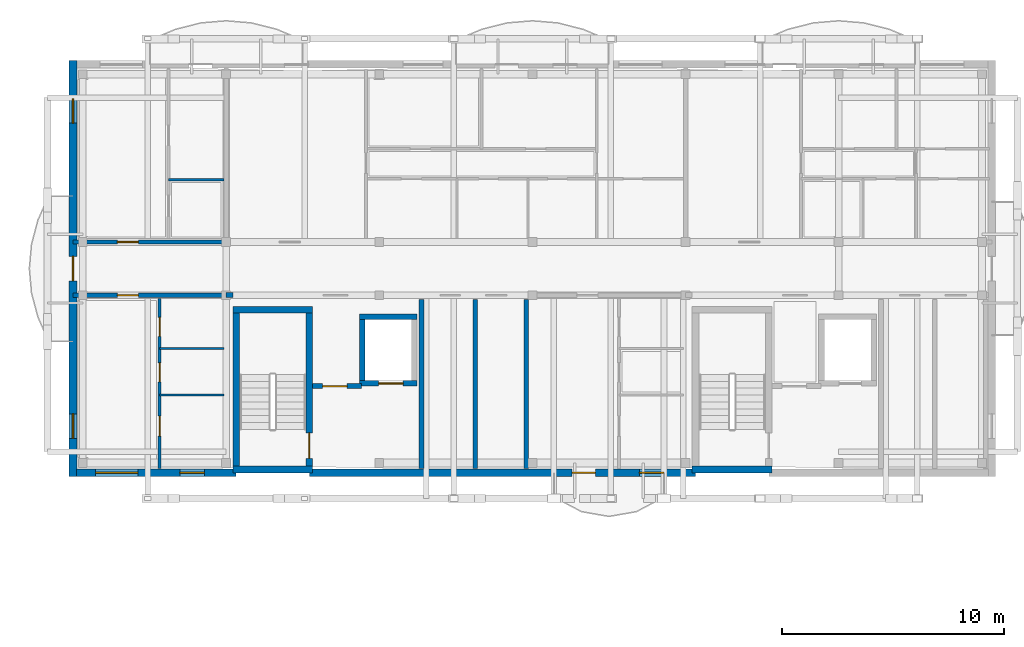
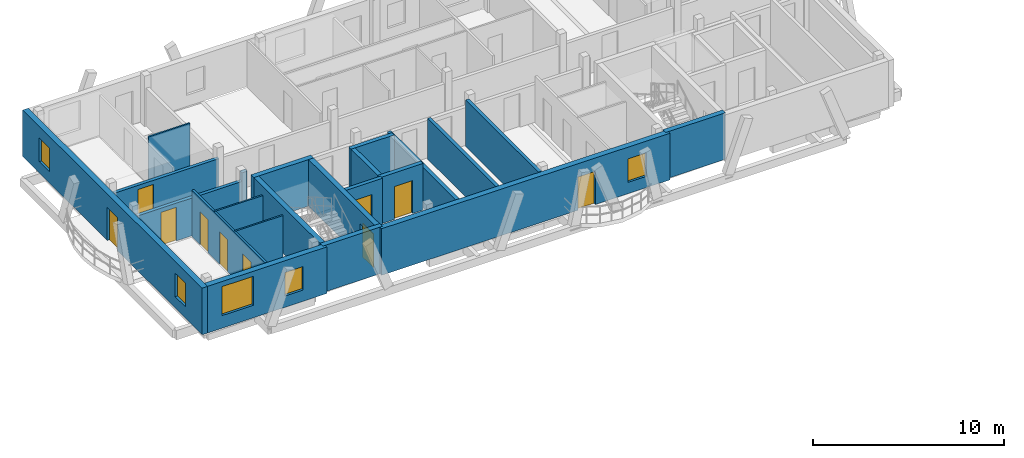
# One storey, part 13 of 21: 22 walls, 10 doors, 5 windows, 15 openings.
"""IFC4 building model written with IfcOpenShell, lengths in metres."""

import ifcopenshell
import ifcopenshell.guid

model = None  # the IFC model being written
_history = None  # IfcOwnerHistory: only IFC2X3 demands one
_inside = {}  # id of a spatial element -> (the spatial element, [elements in it])
_under = {}  # id of a project, library or spatial element -> (it, [spatial elements below it])
_declared = {}  # id of a project -> (the project, [libraries it declares])
_typed = {}  # id of a type object -> (the type object, [elements of that type])
_made_of = {}  # id of a material, layer set ... -> (it, [elements and type objects made of it])


def new_model(schema):
    """Start an empty IFC model of exactly this schema.

    Asked for "IFC4X3", IfcOpenShell would pick the latest addendum, in which some entities
    have other attributes; the version numbers below select the first issue.
    IFC2X3 requires an IfcOwnerHistory on every rooted entity: one is made here for all.
    """
    global model, _history
    if schema == "IFC4X3":
        model = ifcopenshell.file(schema_version=(4, 3, 0, 0))
    else:
        model = ifcopenshell.file(schema=schema)
    _inside.clear()
    _under.clear()
    _declared.clear()
    _typed.clear()
    _made_of.clear()
    _history = None
    if model.schema == "IFC2X3":
        org = make("IfcOrganization", Name="unknown")
        user = make(
            "IfcPersonAndOrganization",
            ThePerson=make("IfcPerson", FamilyName="unknown"),
            TheOrganization=org,
        )
        app = make(
            "IfcApplication",
            ApplicationDeveloper=org,
            Version="unknown",
            ApplicationFullName="unknown",
            ApplicationIdentifier="unknown",
        )
        _history = make(
            "IfcOwnerHistory",
            OwningUser=user,
            OwningApplication=app,
            ChangeAction="ADDED",
            CreationDate=0,
        )
    return model


def make(cls, **values):
    """One entity of the class cls with the attributes given. An attribute that is None is left unset."""
    return model.create_entity(
        cls, **{name: value for name, value in values.items() if value is not None}
    )


def rooted(cls, **values):
    """An entity with a GlobalId (a new one), such as an element, a storey or a relation."""
    return make(cls, GlobalId=ifcopenshell.guid.new(), OwnerHistory=_history, **values)


def si_unit(unit_type, name, prefix=None):
    """IfcSIUnit, for example si_unit("LENGTHUNIT", "METRE", prefix="MILLI")."""
    return make("IfcSIUnit", UnitType=unit_type, Prefix=prefix, Name=name)


def assignment(units):
    """IfcUnitAssignment: the units of a project."""
    return None if units is None else make("IfcUnitAssignment", Units=units)


def point(xyz):
    """IfcCartesianPoint."""
    return None if xyz is None else make("IfcCartesianPoint", Coordinates=xyz)


def direction(xyz):
    """IfcDirection."""
    return None if xyz is None else make("IfcDirection", DirectionRatios=xyz)


def frame(location, z_axis=None, x_axis=None):
    """IfcAxis2Placement3D, a coordinate frame: its origin and axes. An axis left out is left unset."""
    return make(
        "IfcAxis2Placement3D",
        Location=point(location),
        Axis=direction(z_axis),
        RefDirection=direction(x_axis),
    )


def frame_2d(location, x_axis=None):
    """IfcAxis2Placement2D, a coordinate frame in the plane: its origin and x axis."""
    return make(
        "IfcAxis2Placement2D", Location=point(location), RefDirection=direction(x_axis)
    )


def origin():
    """The frame at (0, 0, 0) with its axes left unset."""
    return frame((0.0, 0.0, 0.0))


def origin_with_axes():
    """The frame at (0, 0, 0) with the z axis (0, 0, 1) and the x axis (1, 0, 0) written out."""
    return frame((0.0, 0.0, 0.0), z_axis=(0.0, 0.0, 1.0), x_axis=(1.0, 0.0, 0.0))


def place(relative_to, where):
    """IfcLocalPlacement: puts the frame where relative to a parent placement (None: the world)."""
    return make(
        "IfcLocalPlacement", PlacementRelTo=relative_to, RelativePlacement=where
    )


def context(
    kind, dimensions, precision=None, world=None, true_north=None, identifier=None
):
    """IfcGeometricRepresentationContext, for example the 3D "Model" context."""
    return make(
        "IfcGeometricRepresentationContext",
        ContextIdentifier=identifier,
        ContextType=kind,
        CoordinateSpaceDimension=dimensions,
        Precision=precision,
        WorldCoordinateSystem=world,
        TrueNorth=true_north,
    )


def subcontext(parent, identifier, kind, view, scale=None):
    """IfcGeometricRepresentationSubContext, for example "Body" below "Model"."""
    return make(
        "IfcGeometricRepresentationSubContext",
        ContextIdentifier=identifier,
        ContextType=kind,
        ParentContext=parent,
        TargetScale=scale,
        TargetView=view,
    )


def project(units=None, contexts=None):
    """IfcProject with its units and contexts."""
    return rooted(
        "IfcProject",
        Name="project",
        RepresentationContexts=contexts,
        UnitsInContext=assignment(units),
    )


def spatial(cls, under=None, at=None, **own):
    """A site, building, storey or space (cls), placed at a placement, below another one or the project."""
    s = rooted(cls, ObjectPlacement=at, **own)
    if under is not None:
        _under.setdefault(under.id(), (under, []))[1].append(s)
    return s


def profile(cls, at=None, kind="AREA", **sizes):
    """A parametric profile (cls). Its sizes go by their IFC names, for example OverallWidth=200.0."""
    return make(cls, ProfileType=kind, Position=at, **sizes)


def rectangle(**sizes):
    """IfcRectangleProfileDef."""
    return profile("IfcRectangleProfileDef", **sizes)


def extrude(swept, where, along, depth):
    """IfcExtrudedAreaSolid: the profile swept, set in the frame where, extruded along a direction by depth."""
    return make(
        "IfcExtrudedAreaSolid",
        SweptArea=swept,
        Position=where,
        ExtrudedDirection=direction(along),
        Depth=depth,
    )


def shape(context_of_items, identifier, shape_type, items):
    """IfcShapeRepresentation: the items that make up one representation, for example the "Body"."""
    return make(
        "IfcShapeRepresentation",
        ContextOfItems=context_of_items,
        RepresentationIdentifier=identifier,
        RepresentationType=shape_type,
        Items=items,
    )


def material(Name=None, Category=None):
    """IfcMaterial."""
    return make("IfcMaterial", Name=Name, Category=Category)


def layer(
    of_material, thickness, ventilated=None, Name=None, Category=None, Priority=None
):
    """IfcMaterialLayer: one layer of a wall or slab, of a material (None: an air gap)."""
    return make(
        "IfcMaterialLayer",
        Material=of_material,
        LayerThickness=thickness,
        IsVentilated=ventilated,
        Name=Name,
        Category=Category,
        Priority=Priority,
    )


def layer_set(layers, Name=None):
    """IfcMaterialLayerSet."""
    return make("IfcMaterialLayerSet", MaterialLayers=layers, LayerSetName=Name)


def made_of(thing, what):
    """Note that an element or type object is made of a material, layer set ...; save() writes the relation."""
    if what is not None:
        _made_of.setdefault(what.id(), (what, []))[1].append(thing)
    return thing


def type_object(cls, material=None, **own):
    """A type object (cls), such as IfcWallType, which elements share."""
    return made_of(rooted(cls, **own), material)


def element(
    cls,
    number,
    at=None,
    inside=None,
    cuts=None,
    type_object=None,
    material=None,
    context=None,
    identifier="Body",
    shape_type=None,
    held_by="IfcProductDefinitionShape",
    body=None,
    shapes=None,
    **own,
):
    """One element of the class cls, such as IfcWall. Its Tag is "e" and its number.

    at: its placement. inside: the storey or other place that contains it. cuts: it is an
    opening in that element (IfcRelVoidsElement). A single representation is given by context,
    identifier, shape_type and body (its items); several are given by shapes. held_by: the class
    of the entity that holds the representations. save() writes the other relations.
    """
    e = rooted(cls, Tag="e%d" % number, ObjectPlacement=at, **own)
    if body is not None:
        shapes = [shape(context, identifier, shape_type, body)]
    if shapes is not None:
        e.Representation = make(held_by, Representations=shapes)
    if inside is not None:
        _inside.setdefault(inside.id(), (inside, []))[1].append(e)
    if cuts is not None:
        rooted(
            "IfcRelVoidsElement", RelatingBuildingElement=cuts, RelatedOpeningElement=e
        )
    if type_object is not None:
        _typed.setdefault(type_object.id(), (type_object, []))[1].append(e)
    return made_of(e, material)


def fill(opening, filler):
    """IfcRelFillsElement: the door or window that sits in an opening."""
    return rooted(
        "IfcRelFillsElement",
        RelatingOpeningElement=opening,
        RelatedBuildingElement=filler,
    )


def aggregate(whole, parts):
    """IfcRelAggregates: a whole, such as a stair, and the parts it consists of."""
    return rooted("IfcRelAggregates", RelatingObject=whole, RelatedObjects=parts)


def save(model, path):
    """Write the relations noted so far, then the file.

    IfcRelAggregates (storeys below a building ...), IfcRelContainedInSpatialStructure (elements
    in a storey), IfcRelDefinesByType, IfcRelAssociatesMaterial and IfcRelDeclares: one each for
    every whole, place, type object, material and project.
    """
    for whole, parts in _under.values():
        aggregate(whole, parts)
    for where, things in _inside.values():
        rooted(
            "IfcRelContainedInSpatialStructure",
            RelatedElements=things,
            RelatingStructure=where,
        )
    for kind, things in _typed.values():
        rooted("IfcRelDefinesByType", RelatedObjects=things, RelatingType=kind)
    for what, things in _made_of.values():
        rooted("IfcRelAssociatesMaterial", RelatedObjects=things, RelatingMaterial=what)
    for by, libraries in _declared.values():
        rooted("IfcRelDeclares", RelatingContext=by, RelatedDefinitions=libraries)
    model.write(path)


model = new_model("IFC4")

# Units and contexts
model_context = context("Model", 3, precision=1e-05, world=origin(), true_north=direction((0.0, 1.0)))
body_context = subcontext(model_context, "Body", "Model", "MODEL_VIEW")
ifc_project = project(units=[si_unit("LENGTHUNIT", "METRE"), si_unit("AREAUNIT", "SQUARE_METRE"), si_unit("VOLUMEUNIT", "CUBIC_METRE"), si_unit("PLANEANGLEUNIT", "RADIAN"), si_unit("MASSUNIT", "GRAM", prefix="KILO")], contexts=[model_context])

# Site, building, storey
site_placement = place(None, origin())
site = spatial("IfcSite", under=ifc_project, at=site_placement, CompositionType="ELEMENT")
building_placement = place(site_placement, origin())
building = spatial("IfcBuilding", under=site, at=building_placement, Name="Zavelmont Quarter", CompositionType="ELEMENT")
storey_placement = place(building_placement, frame((0.0, 0.0, 36.800048828125)))
storey = spatial("IfcBuildingStorey", under=building, at=storey_placement, Name="L11", CompositionType="ELEMENT", Elevation=36.800048828125)

# Wall, openings, windows
ifc_material_1 = material(Name="Natural Belgian limestone", Category="masonry")
ifc_layer_1 = layer(ifc_material_1, 0.340087890625)
ifc_layer_set_1 = layer_set([ifc_layer_1], Name="Natural Belgian limestone")
wall_type_1 = type_object("IfcWallType", Name="EW03", PredefinedType="STANDARD", material=ifc_layer_set_1)
wall_1_placement = place(storey_placement, frame((0.159912109375, 97.60009765625, 0.0), z_axis=(0.0, 0.0, 1.0), x_axis=(1.0, 0.0, 0.0)))
wall_1 = element("IfcWall", 1, at=wall_1_placement, inside=storey, type_object=wall_type_1, Name="L11 exterior limestone wall EW03", PredefinedType="STANDARD", context=body_context, shape_type="SweptSolid", body=[
    extrude(rectangle(XDim=7.190185546875, YDim=0.340087890625, at=frame_2d((3.59521484375, 0.0))), origin(), (0.0, 0.0, 1.0), 2.969970703125),
])
opening_1_placement = place(wall_1_placement, frame((0.860107421875, 0.0, 0.800048828125)))
opening_1 = element("IfcOpeningElement", 2, at=opening_1_placement, cuts=wall_1, Name="Opening WN20", PredefinedType="OPENING", context=body_context, shape_type="SweptSolid", body=[
    extrude(rectangle(XDim=1.89990234375, YDim=1.85009765625, at=frame_2d((0.949951171875, 0.925048828125))), frame((0.0, 0.18212890625, 0.0), z_axis=(0.0, -1.0, 0.0), x_axis=(1.0, 0.0, 0.0)), (0.0, 0.0, 1.0), 0.364013671875),
])
opening_2_placement = place(wall_1_placement, frame((4.659912109375, 0.0, 0.719970703125)))
opening_2 = element("IfcOpeningElement", 3, at=opening_2_placement, cuts=wall_1, Name="Opening WN09", PredefinedType="OPENING", context=body_context, shape_type="SweptSolid", body=[
    extrude(rectangle(XDim=1.10009765625, YDim=1.5, at=frame_2d((0.550048828125, 0.75))), frame((0.0, 0.18212890625, 0.0), z_axis=(0.0, -1.0, 0.0), x_axis=(1.0, 0.0, 0.0)), (0.0, 0.0, 1.0), 0.364013671875),
])
ifc_material_2 = material(Name="Double low-E insulated glazing in thermally broken aluminium frame", Category="aluminium")
window_type_1 = type_object("IfcWindowType", Name="WN09", PartitioningType="SINGLE_PANEL", PredefinedType="WINDOW", material=ifc_material_2)
window_1_placement = place(opening_2_placement, origin_with_axes())
window_1 = element("IfcWindow", 4, at=window_1_placement, inside=storey, type_object=window_type_1, Name="L11 window WN09", OverallHeight=1.5, OverallWidth=1.10009765625, PartitioningType="SINGLE_PANEL", PredefinedType="WINDOW", context=body_context, shape_type="SweptSolid", body=[
    extrude(rectangle(XDim=1.10009765625, YDim=1.5, at=frame_2d((0.550048828125, 0.75))), frame((0.0, 0.030029296875, 0.0), z_axis=(0.0, -1.0, 0.0), x_axis=(1.0, 0.0, 0.0)), (0.0, 0.0, 1.0), 0.06005859375),
])
fill(opening_2, window_1)
window_type_2 = type_object("IfcWindowType", Name="WN20", PartitioningType="SINGLE_PANEL", PredefinedType="WINDOW", material=ifc_material_2)
window_2_placement = place(opening_1_placement, origin_with_axes())
window_2 = element("IfcWindow", 5, at=window_2_placement, inside=storey, type_object=window_type_2, Name="L11 window WN20", OverallHeight=1.85009765625, OverallWidth=1.89990234375, PartitioningType="SINGLE_PANEL", PredefinedType="WINDOW", context=body_context, shape_type="SweptSolid", body=[
    extrude(rectangle(XDim=1.89990234375, YDim=1.85009765625, at=frame_2d((0.949951171875, 0.925048828125))), frame((0.0, 0.030029296875, 0.0), z_axis=(0.0, -1.0, 0.0), x_axis=(1.0, 0.0, 0.0)), (0.0, 0.0, 1.0), 0.06005859375),
])
fill(opening_1, window_2)

# Wall, openings, door, window
wall_2_placement = place(storey_placement, frame((10.64990234375, 97.60009765625, 0.0), z_axis=(0.0, 0.0, 1.0), x_axis=(1.0, 0.0, 0.0)))
wall_2 = element("IfcWall", 6, at=wall_2_placement, inside=storey, type_object=wall_type_1, Name="L11 exterior limestone wall EW03", PredefinedType="STANDARD", context=body_context, shape_type="SweptSolid", body=[
    extrude(rectangle(XDim=17.400146484375, YDim=0.340087890625, at=frame_2d((8.7001953125, 0.0))), origin(), (0.0, 0.0, 1.0), 2.969970703125),
])
opening_3_placement = place(wall_2_placement, frame((11.841064453125, 0.0, 0.0)))
opening_3 = element("IfcOpeningElement", 7, at=opening_3_placement, cuts=wall_2, Name="Opening DR04A", PredefinedType="OPENING", context=body_context, shape_type="SweptSolid", body=[
    extrude(rectangle(XDim=1.050048828125, YDim=2.1201171875, at=frame_2d((0.52490234375, 1.06005859375))), frame((0.0, 0.18212890625, 0.0), z_axis=(0.0, -1.0, 0.0), x_axis=(1.0, 0.0, 0.0)), (0.0, 0.0, 1.0), 0.364013671875),
])
opening_4_placement = place(wall_2_placement, frame((14.8701171875, 0.0, 0.719970703125)))
opening_4 = element("IfcOpeningElement", 8, at=opening_4_placement, cuts=wall_2, Name="Opening WN09", PredefinedType="OPENING", context=body_context, shape_type="SweptSolid", body=[
    extrude(rectangle(XDim=1.10009765625, YDim=1.5, at=frame_2d((0.550048828125, 0.75))), frame((0.0, 0.18212890625, 0.0), z_axis=(0.0, -1.0, 0.0), x_axis=(1.0, 0.0, 0.0)), (0.0, 0.0, 1.0), 0.364013671875),
])
ifc_material_3 = material(Name="Thermally broken aluminium and double safety glass", Category="aluminium")
door_type_1 = type_object("IfcDoorType", Name="DR04A", OperationType="NOTDEFINED", PredefinedType="DOOR", material=ifc_material_3)
door_1_placement = place(opening_3_placement, origin_with_axes())
door_1 = element("IfcDoor", 9, at=door_1_placement, inside=storey, type_object=door_type_1, Name="Block B L11 glazed balcony door", OperationType="SINGLE_SWING_RIGHT", OverallHeight=2.1201171875, OverallWidth=1.050048828125, PredefinedType="DOOR", context=body_context, shape_type="SweptSolid", body=[
    extrude(rectangle(XDim=1.050048828125, YDim=2.1201171875, at=frame_2d((0.52490234375, 1.06005859375))), frame((0.0, 0.02490234375, 0.0), z_axis=(0.0, -1.0, 0.0), x_axis=(1.0, 0.0, 0.0)), (0.0, 0.0, 1.0), 0.050048828125),
])
fill(opening_3, door_1)
window_3_placement = place(opening_4_placement, origin_with_axes())
window_3 = element("IfcWindow", 10, at=window_3_placement, inside=storey, type_object=window_type_1, Name="L11 window WN09", OverallHeight=1.5, OverallWidth=1.10009765625, PartitioningType="SINGLE_PANEL", PredefinedType="WINDOW", context=body_context, shape_type="SweptSolid", body=[
    extrude(rectangle(XDim=1.10009765625, YDim=1.5, at=frame_2d((0.550048828125, 0.75))), frame((0.0, 0.030029296875, 0.0), z_axis=(0.0, -1.0, 0.0), x_axis=(1.0, 0.0, 0.0)), (0.0, 0.0, 1.0), 0.06005859375),
])
fill(opening_4, window_3)

# Wall, openings, door, windows
wall_3_placement = place(storey_placement, frame((0.0, 97.429931640625, 0.0), z_axis=(0.0, 0.0, 1.0), x_axis=(0.0, 1.0, 0.0)))
wall_3 = element("IfcWall", 11, at=wall_3_placement, inside=storey, type_object=wall_type_1, Name="L11 exterior limestone wall EW03", PredefinedType="STANDARD", context=body_context, shape_type="SweptSolid", body=[
    extrude(rectangle(XDim=18.739990234375, YDim=0.340087890625, at=frame_2d((9.3701171875, 0.0))), origin(), (0.0, 0.0, 1.0), 2.969970703125),
])
opening_5_placement = place(wall_3_placement, frame((8.820068359375, 0.0, 0.0)))
opening_5 = element("IfcOpeningElement", 12, at=opening_5_placement, cuts=wall_3, Name="Opening DR04B", PredefinedType="OPENING", context=body_context, shape_type="SweptSolid", body=[
    extrude(rectangle(XDim=1.10009765625, YDim=2.10009765625, at=frame_2d((0.550048828125, 1.050048828125))), frame((0.0, 0.18212890625, 0.0), z_axis=(0.0, -1.0, 0.0), x_axis=(1.0, 0.0, 0.0)), (0.0, 0.0, 1.0), 0.364013671875),
])
opening_6_placement = place(wall_3_placement, frame((1.719970703125, 0.0, 0.719970703125)))
opening_6 = element("IfcOpeningElement", 13, at=opening_6_placement, cuts=wall_3, Name="Opening WN09", PredefinedType="OPENING", context=body_context, shape_type="SweptSolid", body=[
    extrude(rectangle(XDim=1.10009765625, YDim=1.5, at=frame_2d((0.550048828125, 0.75))), frame((0.0, 0.18212890625, 0.0), z_axis=(0.0, -1.0, 0.0), x_axis=(1.0, 0.0, 0.0)), (0.0, 0.0, 1.0), 0.364013671875),
])
opening_7_placement = place(wall_3_placement, frame((15.919921875, 0.0, 0.719970703125)))
opening_7 = element("IfcOpeningElement", 14, at=opening_7_placement, cuts=wall_3, Name="Opening WN09", PredefinedType="OPENING", context=body_context, shape_type="SweptSolid", body=[
    extrude(rectangle(XDim=1.10009765625, YDim=1.5, at=frame_2d((0.550048828125, 0.75))), frame((0.0, 0.18212890625, 0.0), z_axis=(0.0, -1.0, 0.0), x_axis=(1.0, 0.0, 0.0)), (0.0, 0.0, 1.0), 0.364013671875),
])
door_type_2 = type_object("IfcDoorType", Name="DR04B", OperationType="NOTDEFINED", PredefinedType="DOOR", material=ifc_material_3)
door_2_placement = place(opening_5_placement, frame((1.10009765625, 0.0, 0.0), z_axis=(0.0, 0.0, 1.0), x_axis=(-1.0, 0.0, 0.0)))
door_2 = element("IfcDoor", 15, at=door_2_placement, inside=storey, type_object=door_type_2, Name="Block B L11 terrace or vase balcony door", OperationType="SINGLE_SWING_LEFT", OverallHeight=2.10009765625, OverallWidth=1.10009765625, PredefinedType="DOOR", context=body_context, shape_type="SweptSolid", body=[
    extrude(rectangle(XDim=1.10009765625, YDim=2.10009765625, at=frame_2d((0.550048828125, 1.050048828125))), frame((0.0, 0.02490234375, 0.0), z_axis=(0.0, -1.0, 0.0), x_axis=(1.0, 0.0, 0.0)), (0.0, 0.0, 1.0), 0.050048828125),
])
fill(opening_5, door_2)
window_4_placement = place(opening_6_placement, origin_with_axes())
window_4 = element("IfcWindow", 16, at=window_4_placement, inside=storey, type_object=window_type_1, Name="L11 window WN09", OverallHeight=1.5, OverallWidth=1.10009765625, PartitioningType="SINGLE_PANEL", PredefinedType="WINDOW", context=body_context, shape_type="SweptSolid", body=[
    extrude(rectangle(XDim=1.10009765625, YDim=1.5, at=frame_2d((0.550048828125, 0.75))), frame((0.0, 0.030029296875, 0.0), z_axis=(0.0, -1.0, 0.0), x_axis=(1.0, 0.0, 0.0)), (0.0, 0.0, 1.0), 0.06005859375),
])
fill(opening_6, window_4)
window_5_placement = place(opening_7_placement, origin_with_axes())
window_5 = element("IfcWindow", 17, at=window_5_placement, inside=storey, type_object=window_type_1, Name="L11 window WN09", OverallHeight=1.5, OverallWidth=1.10009765625, PartitioningType="SINGLE_PANEL", PredefinedType="WINDOW", context=body_context, shape_type="SweptSolid", body=[
    extrude(rectangle(XDim=1.10009765625, YDim=1.5, at=frame_2d((0.550048828125, 0.75))), frame((0.0, 0.030029296875, 0.0), z_axis=(0.0, -1.0, 0.0), x_axis=(1.0, 0.0, 0.0)), (0.0, 0.0, 1.0), 0.06005859375),
])
fill(opening_7, window_5)

# Walls
ifc_material_4 = material(Name="Calcium-silicate blockwork and acoustic plaster", Category="masonry")
ifc_layer_2 = layer(ifc_material_4, 0.199951171875)
ifc_layer_set_2 = layer_set([ifc_layer_2], Name="Calcium-silicate blockwork and acoustic plaster")
wall_type_2 = type_object("IfcWallType", Name="IW01", PredefinedType="PARTITIONING", material=ifc_layer_set_2)
wall_4_placement = place(storey_placement, frame((18.125, 97.800048828125, 0.0), z_axis=(0.0, 0.0, 1.0), x_axis=(0.0, 1.0, 0.0)))
element("IfcWall", 18, at=wall_4_placement, inside=storey, type_object=wall_type_2, Name="L11 Service riser divider wall IW01", PredefinedType="PARTITIONING", context=body_context, shape_type="SweptSolid", body=[
    extrude(rectangle(XDim=7.599853515625, YDim=0.199951171875, at=frame_2d((3.7998046875, 0.0))), origin(), (0.0, 0.0, 1.0), 2.58984375),
])
wall_5_placement = place(storey_placement, frame((20.419921875, 97.800048828125, 0.0), z_axis=(0.0, 0.0, 1.0), x_axis=(0.0, 1.0, 0.0)))
element("IfcWall", 19, at=wall_5_placement, inside=storey, type_object=wall_type_2, Name="L11 Core service end wall IW01", PredefinedType="PARTITIONING", context=body_context, shape_type="SweptSolid", body=[
    extrude(rectangle(XDim=7.599853515625, YDim=0.199951171875, at=frame_2d((3.7998046875, 0.0))), origin(), (0.0, 0.0, 1.0), 2.969970703125),
])

# Wall, opening, door
wall_6_placement = place(storey_placement, frame((0.0, 108.0, 0.0), z_axis=(0.0, 0.0, 1.0), x_axis=(1.0, 0.0, 0.0)))
wall_6 = element("IfcWall", 20, at=wall_6_placement, inside=storey, type_object=wall_type_2, Name="L11 Corridor compartment wall IW01", PredefinedType="PARTITIONING", context=body_context, shape_type="SweptSolid", body=[
    extrude(rectangle(XDim=6.89990234375, YDim=0.199951171875, at=frame_2d((3.449951171875, 0.0))), origin(), (0.0, 0.0, 1.0), 2.409912109375),
])
opening_8_placement = place(wall_6_placement, frame((2.0, 0.0, 0.0)))
opening_8 = element("IfcOpeningElement", 21, at=opening_8_placement, cuts=wall_6, Name="Opening DR02", PredefinedType="OPENING", context=body_context, shape_type="SweptSolid", body=[
    extrude(rectangle(XDim=0.949951171875, YDim=2.14990234375, at=frame_2d((0.47509765625, 1.074951171875))), frame((0.0, 0.11181640625, 0.0), z_axis=(0.0, -1.0, 0.0), x_axis=(1.0, 0.0, 0.0)), (0.0, 0.0, 1.0), 0.223876953125),
])
ifc_material_5 = material(Name="Solid-core oak fire leaf in steel frame", Category="steel")
door_type_3 = type_object("IfcDoorType", Name="DR02", OperationType="NOTDEFINED", PredefinedType="DOOR", material=ifc_material_5)
door_3_placement = place(opening_8_placement, origin_with_axes())
door_3 = element("IfcDoor", 22, at=door_3_placement, inside=storey, type_object=door_type_3, Name="L11 door DR02", OperationType="SINGLE_SWING_LEFT", OverallHeight=2.14990234375, OverallWidth=0.949951171875, PredefinedType="DOOR", context=body_context, shape_type="SweptSolid", body=[
    extrude(rectangle(XDim=0.949951171875, YDim=2.14990234375, at=frame_2d((0.47509765625, 1.074951171875))), frame((0.0, 0.02490234375, 0.0), z_axis=(0.0, -1.0, 0.0), x_axis=(1.0, 0.0, 0.0)), (0.0, 0.0, 1.0), 0.050048828125),
])
fill(opening_8, door_3)

wall_7_placement = place(storey_placement, frame((0.0, 105.60009765625, 0.0), z_axis=(0.0, 0.0, 1.0), x_axis=(1.0, 0.0, 0.0)))
wall_7 = element("IfcWall", 23, at=wall_7_placement, inside=storey, type_object=wall_type_2, Name="L11 Corridor compartment wall IW01", PredefinedType="PARTITIONING", context=body_context, shape_type="SweptSolid", body=[
    extrude(rectangle(XDim=6.89990234375, YDim=0.199951171875, at=frame_2d((3.449951171875, 0.0))), origin(), (0.0, 0.0, 1.0), 2.409912109375),
])
opening_9_placement = place(wall_7_placement, frame((2.0, 0.0, 0.0)))
opening_9 = element("IfcOpeningElement", 24, at=opening_9_placement, cuts=wall_7, Name="Opening DR02", PredefinedType="OPENING", context=body_context, shape_type="SweptSolid", body=[
    extrude(rectangle(XDim=0.949951171875, YDim=2.14990234375, at=frame_2d((0.47509765625, 1.074951171875))), frame((0.0, 0.11181640625, 0.0), z_axis=(0.0, -1.0, 0.0), x_axis=(1.0, 0.0, 0.0)), (0.0, 0.0, 1.0), 0.223876953125),
])
door_4_placement = place(opening_9_placement, frame((0.949951171875, 0.0, 0.0), z_axis=(0.0, 0.0, 1.0), x_axis=(-1.0, 0.0, 0.0)))
door_4 = element("IfcDoor", 25, at=door_4_placement, inside=storey, type_object=door_type_3, Name="L11 door DR02", OperationType="SINGLE_SWING_LEFT", OverallHeight=2.14990234375, OverallWidth=0.949951171875, PredefinedType="DOOR", context=body_context, shape_type="SweptSolid", body=[
    extrude(rectangle(XDim=0.949951171875, YDim=2.14990234375, at=frame_2d((0.47509765625, 1.074951171875))), frame((0.0, 0.02490234375, 0.0), z_axis=(0.0, -1.0, 0.0), x_axis=(1.0, 0.0, 0.0)), (0.0, 0.0, 1.0), 0.050048828125),
])
fill(opening_9, door_4)

# Wall
ifc_material_6 = material(Name="Reinforced masonry fire compartment wall", Category="masonry")
ifc_layer_3 = layer(ifc_material_6, 0.22509765625)
ifc_layer_set_3 = layer_set([ifc_layer_3], Name="Reinforced masonry fire compartment wall")
wall_type_3 = type_object("IfcWallType", Name="IW02", PredefinedType="PARTITIONING", material=ifc_layer_set_3)
wall_8_placement = place(storey_placement, frame((15.7099609375, 97.800048828125, 0.0), z_axis=(0.0, 0.0, 1.0), x_axis=(0.0, 1.0, 0.0)))
element("IfcWall", 26, at=wall_8_placement, inside=storey, type_object=wall_type_3, Name="L11 Firefighting lobby enclosure wall IW02", PredefinedType="PARTITIONING", context=body_context, shape_type="SweptSolid", body=[
    extrude(rectangle(XDim=7.599853515625, YDim=0.22509765625, at=frame_2d((3.7998046875, 0.0))), origin(), (0.0, 0.0, 1.0), 2.58984375),
])

# Wall, opening, door
wall_9_placement = place(storey_placement, frame((10.800048828125, 101.5, 0.0), z_axis=(0.0, 0.0, 1.0), x_axis=(1.0, 0.0, 0.0)))
wall_9 = element("IfcWall", 27, at=wall_9_placement, inside=storey, type_object=wall_type_3, Name="L11 Firefighting lobby threshold wall IW02", PredefinedType="PARTITIONING", context=body_context, shape_type="SweptSolid", body=[
    extrude(rectangle(XDim=2.199951171875, YDim=0.22509765625, at=frame_2d((1.10009765625, 0.0))), origin(), (0.0, 0.0, 1.0), 2.969970703125),
])
opening_10_placement = place(wall_9_placement, frame((0.449951171875, 0.0, 0.0)))
opening_10 = element("IfcOpeningElement", 28, at=opening_10_placement, cuts=wall_9, Name="Opening DR10", PredefinedType="OPENING", context=body_context, shape_type="SweptSolid", body=[
    extrude(rectangle(XDim=1.10009765625, YDim=2.14990234375, at=frame_2d((0.550048828125, 1.074951171875))), frame((0.0, 0.12451171875, 0.0), z_axis=(0.0, -1.0, 0.0), x_axis=(1.0, 0.0, 0.0)), (0.0, 0.0, 1.0), 0.2490234375),
])
ifc_material_7 = material(Name="Painted steel lobby fire door", Category="steel")
door_type_4 = type_object("IfcDoorType", Name="DR10", OperationType="NOTDEFINED", PredefinedType="DOOR", material=ifc_material_7)
door_5_placement = place(opening_10_placement, frame((1.10009765625, 0.0, 0.0), z_axis=(0.0, 0.0, 1.0), x_axis=(-1.0, 0.0, 0.0)))
door_5 = element("IfcDoor", 29, at=door_5_placement, inside=storey, type_object=door_type_4, Name="Firefighting lobby fire door", OperationType="SINGLE_SWING_LEFT", OverallHeight=2.14990234375, OverallWidth=1.10009765625, PredefinedType="DOOR", context=body_context, shape_type="SweptSolid", body=[
    extrude(rectangle(XDim=1.10009765625, YDim=2.14990234375, at=frame_2d((0.550048828125, 1.074951171875))), frame((0.0, 0.02490234375, 0.0), z_axis=(0.0, -1.0, 0.0), x_axis=(1.0, 0.0, 0.0)), (0.0, 0.0, 1.0), 0.050048828125),
])
fill(opening_10, door_5)

# Wall
wall_10_placement = place(storey_placement, frame((6.89990234375, 105.60009765625, 0.0), z_axis=(0.0, 0.0, 1.0), x_axis=(1.0, 0.0, 0.0)))
element("IfcWall", 30, at=wall_10_placement, inside=storey, type_object=wall_type_3, Name="L11 Core corridor wall IW02", PredefinedType="PARTITIONING", context=body_context, shape_type="SweptSolid", body=[
    extrude(rectangle(XDim=0.300048828125, YDim=0.22509765625, at=frame_2d((0.14990234375, 0.0))), origin(), (0.0, 0.0, 1.0), 2.969970703125),
])

# Wall, openings, doors
ifc_material_8 = material(Name="Double gypsum board on acoustic steel stud", Category="steel")
ifc_layer_4 = layer(ifc_material_8, 0.125)
ifc_layer_set_4 = layer_set([ifc_layer_4], Name="Double gypsum board on acoustic steel stud")
wall_type_4 = type_object("IfcWallType", Name="IW03", PredefinedType="PARTITIONING", material=ifc_layer_set_4)
wall_11_placement = place(storey_placement, frame((3.89990234375, 105.449951171875, 0.0), z_axis=(0.0, 0.0, 1.0), x_axis=(0.0, -1.0, 0.0)))
wall_11 = element("IfcWall", 31, at=wall_11_placement, inside=storey, type_object=wall_type_4, Name="L11 Partition IW03", PredefinedType="PARTITIONING", context=body_context, shape_type="SweptSolid", body=[
    extrude(rectangle(XDim=7.64990234375, YDim=0.125, at=frame_2d((3.824951171875, 0.0))), origin(), (0.0, 0.0, 1.0), 2.969970703125),
])
opening_11_placement = place(wall_11_placement, frame((0.85009765625, 0.0, 0.0)))
opening_11 = element("IfcOpeningElement", 32, at=opening_11_placement, cuts=wall_11, Name="Opening DR16", PredefinedType="OPENING", context=body_context, shape_type="SweptSolid", body=[
    extrude(rectangle(XDim=0.85009765625, YDim=2.10009765625, at=frame_2d((0.425048828125, 1.050048828125))), frame((0.0, 0.074462890625, 0.0), z_axis=(0.0, -1.0, 0.0), x_axis=(1.0, 0.0, 0.0)), (0.0, 0.0, 1.0), 0.14892578125),
])
opening_12_placement = place(wall_11_placement, frame((2.89990234375, 0.0, 0.0)))
opening_12 = element("IfcOpeningElement", 33, at=opening_12_placement, cuts=wall_11, Name="Opening DR06", PredefinedType="OPENING", context=body_context, shape_type="SweptSolid", body=[
    extrude(rectangle(XDim=0.85009765625, YDim=2.050048828125, at=frame_2d((0.425048828125, 1.02490234375))), frame((0.0, 0.074462890625, 0.0), z_axis=(0.0, -1.0, 0.0), x_axis=(1.0, 0.0, 0.0)), (0.0, 0.0, 1.0), 0.14892578125),
])
opening_13_placement = place(wall_11_placement, frame((5.300048828125, 0.0, 0.0)))
opening_13 = element("IfcOpeningElement", 34, at=opening_13_placement, cuts=wall_11, Name="Opening DR05", PredefinedType="OPENING", context=body_context, shape_type="SweptSolid", body=[
    extrude(rectangle(XDim=0.89990234375, YDim=2.10009765625, at=frame_2d((0.449951171875, 1.050048828125))), frame((0.0, 0.074462890625, 0.0), z_axis=(0.0, -1.0, 0.0), x_axis=(1.0, 0.0, 0.0)), (0.0, 0.0, 1.0), 0.14892578125),
])
ifc_material_9 = material(Name="Engineered oak flush interior door")
door_type_5 = type_object("IfcDoorType", Name="DR05", OperationType="NOTDEFINED", PredefinedType="DOOR", material=ifc_material_9)
door_6_placement = place(opening_13_placement, frame((0.89990234375, 0.0, 0.0), z_axis=(0.0, 0.0, 1.0), x_axis=(-1.0, 0.0, 0.0)))
door_6 = element("IfcDoor", 35, at=door_6_placement, inside=storey, type_object=door_type_5, Name="L11 door DR05", OperationType="SINGLE_SWING_LEFT", OverallHeight=2.10009765625, OverallWidth=0.89990234375, PredefinedType="DOOR", context=body_context, shape_type="SweptSolid", body=[
    extrude(rectangle(XDim=0.89990234375, YDim=2.10009765625, at=frame_2d((0.449951171875, 1.050048828125))), frame((0.0, 0.02490234375, 0.0), z_axis=(0.0, -1.0, 0.0), x_axis=(1.0, 0.0, 0.0)), (0.0, 0.0, 1.0), 0.050048828125),
])
fill(opening_13, door_6)
ifc_material_10 = material(Name="Moisture-resistant painted wet-room door")
door_type_6 = type_object("IfcDoorType", Name="DR06", OperationType="NOTDEFINED", PredefinedType="DOOR", material=ifc_material_10)
door_7_placement = place(opening_12_placement, origin_with_axes())
door_7 = element("IfcDoor", 36, at=door_7_placement, inside=storey, type_object=door_type_6, Name="L11 door DR06", OperationType="SINGLE_SWING_RIGHT", OverallHeight=2.050048828125, OverallWidth=0.85009765625, PredefinedType="DOOR", context=body_context, shape_type="SweptSolid", body=[
    extrude(rectangle(XDim=0.85009765625, YDim=2.050048828125, at=frame_2d((0.425048828125, 1.02490234375))), frame((0.0, 0.02490234375, 0.0), z_axis=(0.0, -1.0, 0.0), x_axis=(1.0, 0.0, 0.0)), (0.0, 0.0, 1.0), 0.050048828125),
])
fill(opening_12, door_7)
door_type_7 = type_object("IfcDoorType", Name="DR16", OperationType="NOTDEFINED", PredefinedType="DOOR", material=ifc_material_9)
door_8_placement = place(opening_11_placement, frame((0.85009765625, 0.0, 0.0), z_axis=(0.0, 0.0, 1.0), x_axis=(-1.0, 0.0, 0.0)))
door_8 = element("IfcDoor", 37, at=door_8_placement, inside=storey, type_object=door_type_7, Name="L11 door DR16", OperationType="SINGLE_SWING_LEFT", OverallHeight=2.10009765625, OverallWidth=0.85009765625, PredefinedType="DOOR", context=body_context, shape_type="SweptSolid", body=[
    extrude(rectangle(XDim=0.85009765625, YDim=2.10009765625, at=frame_2d((0.425048828125, 1.050048828125))), frame((0.0, 0.02490234375, 0.0), z_axis=(0.0, -1.0, 0.0), x_axis=(1.0, 0.0, 0.0)), (0.0, 0.0, 1.0), 0.050048828125),
])
fill(opening_11, door_8)

# Walls
ifc_material_11 = material(Name="Moisture-resistant gypsum board on steel stud", Category="steel")
ifc_layer_5 = layer(ifc_material_11, 0.10009765625)
ifc_layer_set_5 = layer_set([ifc_layer_5], Name="Moisture-resistant gypsum board on steel stud")
wall_type_5 = type_object("IfcWallType", Name="IW04", PredefinedType="PARTITIONING", material=ifc_layer_set_5)
wall_12_placement = place(storey_placement, frame((4.300048828125, 110.800048828125, 0.0), z_axis=(0.0, 0.0, 1.0), x_axis=(1.0, 0.0, 0.0)))
element("IfcWall", 38, at=wall_12_placement, inside=storey, type_object=wall_type_5, Name="L11 Partition IW04", PredefinedType="PARTITIONING", context=body_context, shape_type="SweptSolid", body=[
    extrude(rectangle(XDim=2.5, YDim=0.10009765625, at=frame_2d((1.25, 0.0))), origin(), (0.0, 0.0, 1.0), 2.969970703125),
])
for number, where, z_axis, x_axis, name in (
    (39, (3.89990234375, 103.199951171875, 0.0), (0.0, 0.0, 1.0), (1.0, 0.0, 0.0), "L11 Partition IW04"),
    (40, (3.89990234375, 101.10009765625, 0.0), (0.0, 0.0, 1.0), (1.0, 0.0, 0.0), "L11 Partition IW04"),
):
    element("IfcWall", number, at=place(storey_placement, frame(where, z_axis=z_axis, x_axis=x_axis)), inside=storey, type_object=wall_type_5, Name=name, PredefinedType="PARTITIONING", context=body_context, shape_type="SweptSolid", body=[
        extrude(rectangle(XDim=2.900146484375, YDim=0.10009765625, at=frame_2d((1.4501953125, 0.0))), origin(), (0.0, 0.0, 1.0), 2.969970703125),
    ])
ifc_material_12 = material(Name="Concrete C40/50", Category="concrete")
ifc_layer_6 = layer(ifc_material_12, 0.300048828125)
ifc_layer_set_6 = layer_set([ifc_layer_6], Name="Concrete C40/50")
wall_type_6 = type_object("IfcWallType", Name="SW01", PredefinedType="SHEAR", material=ifc_layer_set_6)
wall_13_placement = place(storey_placement, frame((7.199951171875, 104.949951171875, 0.0), z_axis=(0.0, 0.0, 1.0), x_axis=(1.0, 0.0, 0.0)))
element("IfcWall", 41, at=wall_13_placement, inside=storey, type_object=wall_type_6, Name="L11 ST03 corridor shear wall SW01", PredefinedType="SHEAR", context=body_context, shape_type="SweptSolid", body=[
    extrude(rectangle(XDim=3.60009765625, YDim=0.300048828125, at=frame_2d((1.800048828125, 0.0))), origin(), (0.0, 0.0, 1.0), 2.969970703125),
])
wall_14_placement = place(storey_placement, frame((7.35009765625, 97.60009765625, 0.0), z_axis=(0.0, 0.0, 1.0), x_axis=(0.0, 1.0, 0.0)))
element("IfcWall", 42, at=wall_14_placement, inside=storey, type_object=wall_type_6, Name="L11 ST03 west shear wall SW01", PredefinedType="SHEAR", context=body_context, shape_type="SweptSolid", body=[
    extrude(rectangle(XDim=7.5, YDim=0.300048828125, at=frame_2d((3.75, 0.0))), origin(), (0.0, 0.0, 1.0), 2.969970703125),
])

# Wall, opening, door
wall_15_placement = place(storey_placement, frame((10.64990234375, 97.60009765625, 0.0), z_axis=(0.0, 0.0, 1.0), x_axis=(0.0, 1.0, 0.0)))
wall_15 = element("IfcWall", 43, at=wall_15_placement, inside=storey, type_object=wall_type_6, Name="L11 ST03 lobby shear wall SW01", PredefinedType="SHEAR", context=body_context, shape_type="SweptSolid", body=[
    extrude(rectangle(XDim=7.5, YDim=0.300048828125, at=frame_2d((3.75, 0.0))), origin(), (0.0, 0.0, 1.0), 2.969970703125),
])
opening_14_placement = place(wall_15_placement, frame((0.64990234375, 0.0, 0.0)))
opening_14 = element("IfcOpeningElement", 44, at=opening_14_placement, cuts=wall_15, Name="Opening DR09", PredefinedType="OPENING", context=body_context, shape_type="SweptSolid", body=[
    extrude(rectangle(XDim=1.14990234375, YDim=2.14990234375, at=frame_2d((0.574951171875, 1.074951171875))), frame((0.0, 0.162109375, 0.0), z_axis=(0.0, -1.0, 0.0), x_axis=(1.0, 0.0, 0.0)), (0.0, 0.0, 1.0), 0.323974609375),
])
ifc_material_13 = material(Name="Painted steel stair-core fire door", Category="steel")
door_type_8 = type_object("IfcDoorType", Name="DR09", OperationType="NOTDEFINED", PredefinedType="DOOR", material=ifc_material_13)
door_9_placement = place(opening_14_placement, origin_with_axes())
door_9 = element("IfcDoor", 45, at=door_9_placement, inside=storey, type_object=door_type_8, Name="ST03 protected stair door", OperationType="SINGLE_SWING_RIGHT", OverallHeight=2.14990234375, OverallWidth=1.14990234375, PredefinedType="DOOR", context=body_context, shape_type="SweptSolid", body=[
    extrude(rectangle(XDim=1.14990234375, YDim=2.14990234375, at=frame_2d((0.574951171875, 1.074951171875))), frame((0.0, 0.02490234375, 0.0), z_axis=(0.0, -1.0, 0.0), x_axis=(1.0, 0.0, 0.0)), (0.0, 0.0, 1.0), 0.050048828125),
])
fill(opening_14, door_9)

ifc_layer_7 = layer(ifc_material_12, 0.25)
ifc_layer_set_7 = layer_set([ifc_layer_7], Name="Concrete C40/50")
wall_type_7 = type_object("IfcWallType", Name="SW02", PredefinedType="SHEAR", material=ifc_layer_set_7)
wall_16_placement = place(storey_placement, frame((12.89990234375, 101.625, 0.0), z_axis=(0.0, 0.0, 1.0), x_axis=(1.0, 0.0, 0.0)))
wall_16 = element("IfcWall", 46, at=wall_16_placement, inside=storey, type_object=wall_type_7, Name="L11 Lift FL02 landing shaft wall SW02", PredefinedType="SHEAR", context=body_context, shape_type="SweptSolid", body=[
    extrude(rectangle(XDim=2.60009765625, YDim=0.25, at=frame_2d((1.300048828125, 0.0))), origin(), (0.0, 0.0, 1.0), 2.969970703125),
])
opening_15_placement = place(wall_16_placement, frame((0.875, 0.0, 0.0)))
opening_15 = element("IfcOpeningElement", 47, at=opening_15_placement, cuts=wall_16, Name="Opening LD02", PredefinedType="OPENING", context=body_context, shape_type="SweptSolid", body=[
    extrude(rectangle(XDim=1.10009765625, YDim=2.10009765625, at=frame_2d((0.550048828125, 1.050048828125))), frame((0.0, 0.136962890625, 0.0), z_axis=(0.0, -1.0, 0.0), x_axis=(1.0, 0.0, 0.0)), (0.0, 0.0, 1.0), 0.27392578125),
])
ifc_material_14 = material(Name="Brushed stainless-steel firefighting lift landing door", Category="steel")
door_type_9 = type_object("IfcDoorType", Name="LD02", OperationType="SLIDING_TO_LEFT", PredefinedType="DOOR", material=ifc_material_14)
door_10_placement = place(opening_15_placement, origin_with_axes())
door_10 = element("IfcDoor", 48, at=door_10_placement, inside=storey, type_object=door_type_9, Name="Lift FL02 sliding landing door", OperationType="SLIDING_TO_LEFT", OverallHeight=2.10009765625, OverallWidth=1.10009765625, PredefinedType="DOOR", context=body_context, shape_type="SweptSolid", body=[
    extrude(rectangle(XDim=1.10009765625, YDim=2.10009765625, at=frame_2d((0.550048828125, 1.050048828125))), frame((0.0, 0.02490234375, 0.0), z_axis=(0.0, -1.0, 0.0), x_axis=(1.0, 0.0, 0.0)), (0.0, 0.0, 1.0), 0.050048828125),
])
fill(opening_15, door_10)

# Walls
wall_17_placement = place(storey_placement, frame((12.89990234375, 104.625, 0.0), z_axis=(0.0, 0.0, 1.0), x_axis=(1.0, 0.0, 0.0)))
element("IfcWall", 49, at=wall_17_placement, inside=storey, type_object=wall_type_7, Name="L11 Lift FL02 back shaft wall SW02", PredefinedType="SHEAR", context=body_context, shape_type="SweptSolid", body=[
    extrude(rectangle(XDim=2.60009765625, YDim=0.25, at=frame_2d((1.300048828125, 0.0))), origin(), (0.0, 0.0, 1.0), 2.969970703125),
])
wall_18_placement = place(storey_placement, frame((13.02490234375, 101.5, 0.0), z_axis=(0.0, 0.0, 1.0), x_axis=(0.0, 1.0, 0.0)))
element("IfcWall", 50, at=wall_18_placement, inside=storey, type_object=wall_type_7, Name="L11 Lift FL02 west shaft wall SW02", PredefinedType="SHEAR", context=body_context, shape_type="SweptSolid", body=[
    extrude(rectangle(XDim=3.25, YDim=0.25, at=frame_2d((1.625, 0.0))), origin(), (0.0, 0.0, 1.0), 2.969970703125),
])
ifc_layer_8 = layer(ifc_material_12, 0.300048828125)
ifc_layer_set_8 = layer_set([ifc_layer_8], Name="Concrete C40/50")
wall_type_8 = type_object("IfcWallType", Name="SW03", PredefinedType="SHEAR", material=ifc_layer_set_8)
for number, where, z_axis, x_axis, name in (
    (51, (7.199951171875, 97.75, 0.0), (0.0, 0.0, 1.0), (1.0, 0.0, 0.0), "L11 ST03 outer shear wall SW03"),
    (52, (27.89990234375, 97.75, 0.0), (0.0, 0.0, 1.0), (1.0, 0.0, 0.0), "L11 ST04 outer shear wall SW03"),
):
    element("IfcWall", number, at=place(storey_placement, frame(where, z_axis=z_axis, x_axis=x_axis)), inside=storey, type_object=wall_type_8, Name=name, PredefinedType="SHEAR", context=body_context, shape_type="SweptSolid", body=[
        extrude(rectangle(XDim=3.60009765625, YDim=0.300048828125, at=frame_2d((1.800048828125, 0.0))), origin(), (0.0, 0.0, 1.0), 2.969970703125),
    ])

save(model, "model.ifc")
